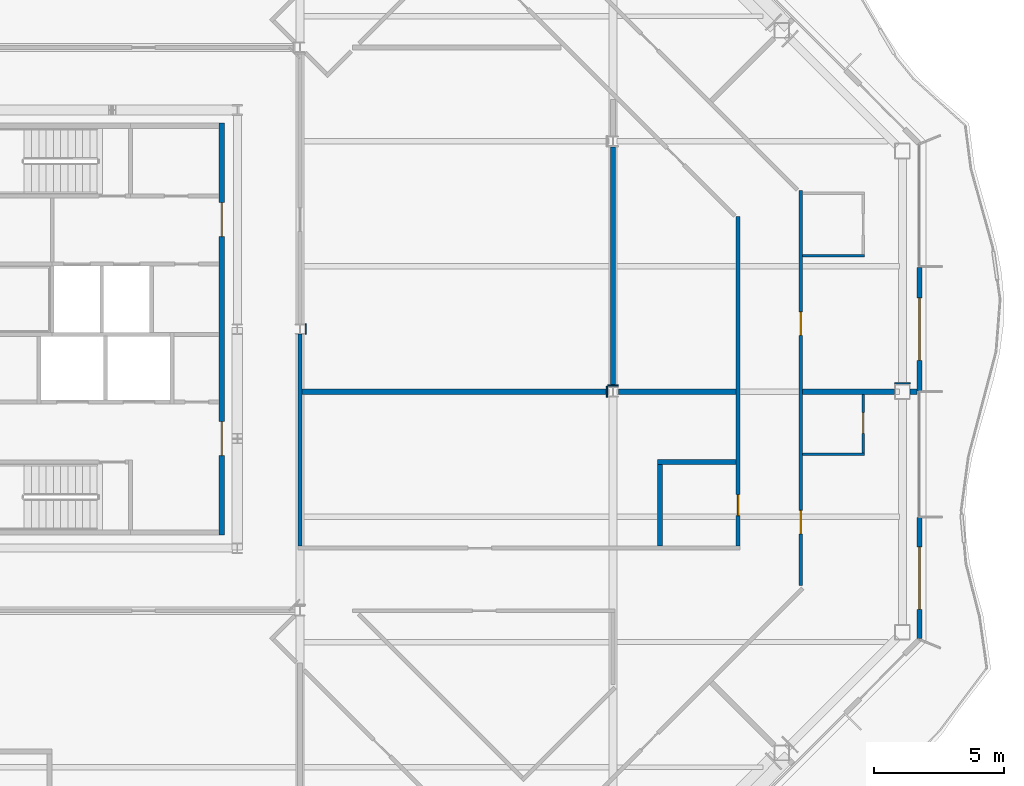
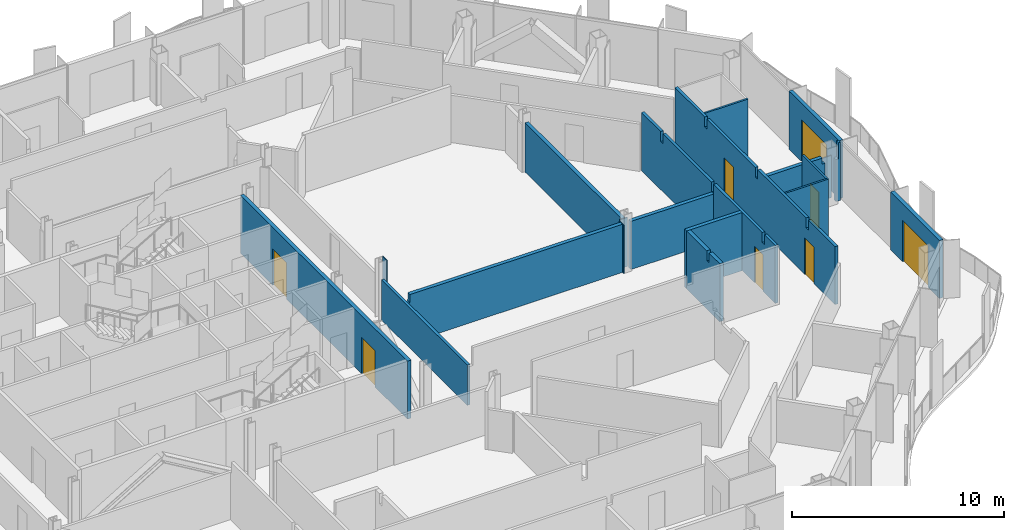
# One storey, part 10 of 19: 20 walls, 8 doors, 8 openings.
"""IFC4 building model written with IfcOpenShell, lengths in metres."""

from ifc_helpers import new_model, si_unit, direction, frame, frame_2d, origin, place, context, subcontext, project, spatial, polyline, rectangle, outline, extrude, material, layer, layer_set, type_object, element, fill, save


model = new_model("IFC4")

# Units and contexts
model_context = context("Model", 3, precision=1e-05, world=origin(), true_north=direction((0.0, 1.0)))
body_context = subcontext(model_context, "Body", "Model", "MODEL_VIEW")
ifc_project = project(units=[si_unit("LENGTHUNIT", "METRE"), si_unit("AREAUNIT", "SQUARE_METRE"), si_unit("VOLUMEUNIT", "CUBIC_METRE"), si_unit("PLANEANGLEUNIT", "RADIAN"), si_unit("MASSUNIT", "GRAM", prefix="KILO")], contexts=[model_context])

# Site, building, storey
site_placement = place(None, origin())
site = spatial("IfcSite", under=ifc_project, at=site_placement, CompositionType="ELEMENT")
building_placement = place(site_placement, origin())
building = spatial("IfcBuilding", under=site, at=building_placement, Name="Cairn Pilgrim Tower", CompositionType="ELEMENT")
storey_placement = place(building_placement, frame((0.0, 0.0, 201.0)))
storey = spatial("IfcBuildingStorey", under=building, at=storey_placement, Name="L51", CompositionType="ELEMENT", Elevation=201.0)

# Wall, opening, door
ifc_material_1 = material(Name="Bronze anodised aluminium insulated sandwich panel with mineral wool fill", Category="aluminium")
ifc_layer_1 = layer(ifc_material_1, 0.199951171875)
ifc_layer_set_1 = layer_set([ifc_layer_1], Name="BRONZE INFILL FRAME WALL 200")
wall_type_1 = type_object("IfcWallType", Name="BRONZE INFILL FRAME WALL 200", PredefinedType="NOTDEFINED", material=ifc_layer_set_1)
wall_1_placement = place(storey_placement, frame((42.949951171875, -9.45654296875, 0.0), z_axis=(0.0, 0.0, 1.0), x_axis=(0.0, 1.0, 0.0)))
wall_1 = element("IfcWall", 1, at=wall_1_placement, inside=storey, type_object=wall_type_1, Name="Bronze infill frame wall IW-E1", PredefinedType="NOTDEFINED", context=body_context, shape_type="SweptSolid", body=[
    extrude(rectangle(XDim=4.62646484375, YDim=0.199951171875, at=frame_2d((2.313232421875, 0.0))), origin(), (0.0, 0.0, 1.0), 3.35009765625),
])
opening_1_placement = place(wall_1_placement, frame((1.1083984375, 0.0, 0.0)))
opening_1 = element("IfcOpeningElement", 2, at=opening_1_placement, cuts=wall_1, Name="Opening 5104B2", PredefinedType="OPENING", context=body_context, shape_type="SweptSolid", body=[
    extrude(rectangle(XDim=2.39990234375, YDim=2.39990234375, at=frame_2d((1.199951171875, 1.199951171875))), frame((0.0, 0.10986328125, 0.0), z_axis=(0.0, -1.0, 0.0), x_axis=(1.0, 0.0, 0.0)), (0.0, 0.0, 1.0), 0.219970703125),
])
ifc_material_2 = material(Name="Bronze anodised aluminium frame with tinted low-E glass", Category="aluminium")
door_type_1 = type_object("IfcDoorType", Name="BALCONY SLIDING DOOR 2400x2400", OperationType="DOUBLE_DOOR_SLIDING", PredefinedType="DOOR", material=ifc_material_2)
door_1_placement = place(opening_1_placement, origin())
door_1 = element("IfcDoor", 3, at=door_1_placement, inside=storey, type_object=door_type_1, Name="Balcony sliding door 5104B2", OperationType="SINGLE_SWING_LEFT", OverallHeight=2.39990234375, OverallWidth=2.39990234375, PredefinedType="DOOR", context=body_context, shape_type="SweptSolid", body=[
    extrude(rectangle(XDim=2.39990234375, YDim=2.39990234375, at=frame_2d((1.199951171875, 1.199951171875))), frame((0.0, 0.02490234375, 0.0), z_axis=(0.0, -1.0, 0.0), x_axis=(1.0, 0.0, 0.0)), (0.0, 0.0, 1.0), 0.050048828125),
])
fill(opening_1, door_1)

wall_2_placement = place(storey_placement, frame((42.949951171875, 0.030029296875, 0.0), z_axis=(0.0, 0.0, 1.0), x_axis=(0.0, 1.0, 0.0)))
wall_2 = element("IfcWall", 4, at=wall_2_placement, inside=storey, type_object=wall_type_1, Name="Bronze infill frame wall IW-E3", PredefinedType="NOTDEFINED", context=body_context, shape_type="SweptSolid", body=[
    extrude(rectangle(XDim=4.739990234375, YDim=0.199951171875, at=frame_2d((2.3701171875, 0.0))), origin(), (0.0, 0.0, 1.0), 3.35009765625),
])
opening_2_placement = place(wall_2_placement, frame((1.169921875, 0.0, 0.0)))
opening_2 = element("IfcOpeningElement", 5, at=opening_2_placement, cuts=wall_2, Name="Opening 5105B", PredefinedType="OPENING", context=body_context, shape_type="SweptSolid", body=[
    extrude(rectangle(XDim=2.39990234375, YDim=2.39990234375, at=frame_2d((1.199951171875, 1.199951171875))), frame((0.0, 0.10986328125, 0.0), z_axis=(0.0, -1.0, 0.0), x_axis=(1.0, 0.0, 0.0)), (0.0, 0.0, 1.0), 0.219970703125),
])
door_2_placement = place(opening_2_placement, origin())
door_2 = element("IfcDoor", 6, at=door_2_placement, inside=storey, type_object=door_type_1, Name="Balcony sliding door 5105B", OperationType="SINGLE_SWING_LEFT", OverallHeight=2.39990234375, OverallWidth=2.39990234375, PredefinedType="DOOR", context=body_context, shape_type="SweptSolid", body=[
    extrude(rectangle(XDim=2.39990234375, YDim=2.39990234375, at=frame_2d((1.199951171875, 1.199951171875))), frame((0.0, 0.02490234375, 0.0), z_axis=(0.0, -1.0, 0.0), x_axis=(1.0, 0.0, 0.0)), (0.0, 0.0, 1.0), 0.050048828125),
])
fill(opening_2, door_2)

# Wall, openings, doors
ifc_material_3 = material(Name="Concrete C32/40", Category="concrete")
ifc_layer_2 = layer(ifc_material_3, 0.199951171875)
ifc_layer_set_2 = layer_set([ifc_layer_2], Name="CORE OUTER WALL 200 EI 120")
wall_type_2 = type_object("IfcWallType", Name="CORE OUTER WALL 200 EI 120", PredefinedType="SOLIDWALL", material=ifc_layer_set_2)
wall_3_placement = place(storey_placement, frame((16.199951171875, -5.5, 0.0), z_axis=(0.0, 0.0, 1.0), x_axis=(0.0, 1.0, 0.0)))
wall_3 = element("IfcWall", 7, at=wall_3_placement, inside=storey, type_object=wall_type_2, Name="CW:L51:V30", PredefinedType="SOLIDWALL", context=body_context, shape_type="SweptSolid", body=[
    extrude(rectangle(XDim=15.800048828125, YDim=0.199951171875, at=frame_2d((7.89990234375, 0.0))), origin(), (0.0, 0.0, 1.0), 3.35009765625),
])
opening_3_placement = place(wall_3_placement, frame((3.050048828125, 0.0, 0.0)))
opening_3 = element("IfcOpeningElement", 8, at=opening_3_placement, cuts=wall_3, Name="Opening CD-E1", PredefinedType="OPENING", context=body_context, shape_type="SweptSolid", body=[
    extrude(rectangle(XDim=1.300048828125, YDim=2.10009765625, at=frame_2d((0.64990234375, 1.050048828125))), frame((0.0, 0.10986328125, 0.0), z_axis=(0.0, -1.0, 0.0), x_axis=(1.0, 0.0, 0.0)), (0.0, 0.0, 1.0), 0.219970703125),
])
opening_4_placement = place(wall_3_placement, frame((11.449951171875, 0.0, 0.0)))
opening_4 = element("IfcOpeningElement", 9, at=opening_4_placement, cuts=wall_3, Name="Opening CD-E2", PredefinedType="OPENING", context=body_context, shape_type="SweptSolid", body=[
    extrude(rectangle(XDim=1.300048828125, YDim=2.10009765625, at=frame_2d((0.64990234375, 1.050048828125))), frame((0.0, 0.10986328125, 0.0), z_axis=(0.0, -1.0, 0.0), x_axis=(1.0, 0.0, 0.0)), (0.0, 0.0, 1.0), 0.219970703125),
])
ifc_material_4 = material(Name="Painted steel", Category="steel")
door_type_2 = type_object("IfcDoorType", Name="CORE LOBBY DOOR 1300x2100", OperationType="DOUBLE_DOOR_SINGLE_SWING", PredefinedType="DOOR", material=ifc_material_4)
door_3_placement = place(opening_3_placement, origin())
door_3 = element("IfcDoor", 10, at=door_3_placement, inside=storey, type_object=door_type_2, Name="CD-E1", OperationType="DOUBLE_DOOR_SINGLE_SWING", OverallHeight=2.10009765625, OverallWidth=1.300048828125, PredefinedType="DOOR", context=body_context, shape_type="SweptSolid", body=[
    extrude(rectangle(XDim=1.300048828125, YDim=2.10009765625, at=frame_2d((0.64990234375, 1.050048828125))), frame((0.0, 0.02490234375, 0.0), z_axis=(0.0, -1.0, 0.0), x_axis=(1.0, 0.0, 0.0)), (0.0, 0.0, 1.0), 0.050048828125),
])
fill(opening_3, door_3)
door_4_placement = place(opening_4_placement, origin())
door_4 = element("IfcDoor", 11, at=door_4_placement, inside=storey, type_object=door_type_2, Name="CD-E2", OperationType="DOUBLE_DOOR_SINGLE_SWING", OverallHeight=2.10009765625, OverallWidth=1.300048828125, PredefinedType="DOOR", context=body_context, shape_type="SweptSolid", body=[
    extrude(rectangle(XDim=1.300048828125, YDim=2.10009765625, at=frame_2d((0.64990234375, 1.050048828125))), frame((0.0, 0.02490234375, 0.0), z_axis=(0.0, -1.0, 0.0), x_axis=(1.0, 0.0, 0.0)), (0.0, 0.0, 1.0), 0.050048828125),
])
fill(opening_4, door_4)

# Wall
ifc_material_5 = material(Name="Gypsum partition")
ifc_layer_3 = layer(ifc_material_5, 0.10009765625)
ifc_layer_set_3 = layer_set([ifc_layer_3], Name="PARTITION 100 DRYWALL")
wall_type_3 = type_object("IfcWallType", Name="PARTITION 100 DRYWALL", PredefinedType="PARTITIONING", material=ifc_layer_set_3)
wall_4_placement = place(storey_placement, frame((38.47509765625, -2.39990234375, 0.0), z_axis=(0.0, 0.0, 1.0), x_axis=(1.0, 0.0, 0.0)))
element("IfcWall", 12, at=wall_4_placement, inside=storey, type_object=wall_type_3, Name="PARTITION W050", PredefinedType="PARTITIONING", context=body_context, shape_type="SweptSolid", body=[
    extrude(rectangle(XDim=2.375, YDim=0.10009765625, at=frame_2d((1.1875, 0.0))), origin(), (0.0, 0.0, 1.0), 3.35009765625),
])

# Wall, opening, door
wall_5_placement = place(storey_placement, frame((40.800048828125, -2.35009765625, 0.0), z_axis=(0.0, 0.0, 1.0), x_axis=(0.0, 1.0, 0.0)))
wall_5 = element("IfcWall", 13, at=wall_5_placement, inside=storey, type_object=wall_type_3, Name="PARTITION W051", PredefinedType="PARTITIONING", context=body_context, shape_type="SweptSolid", body=[
    extrude(outline(polyline([(0.0, 0.0), (2.25, 0.0), (2.25, 2.780029296875), (2.2451171875, 2.780029296875), (2.242919921875, 3.35009765625), (0.0, 3.35009765625), (0.0, 0.0)])), frame((0.0, 0.050048828125, 0.0), z_axis=(0.0, -1.0, 0.0), x_axis=(1.0, 0.0, 0.0)), (0.0, 0.0, 1.0), 0.10009765625),
])
opening_5_placement = place(wall_5_placement, frame((0.75, 0.0, 0.0)))
opening_5 = element("IfcOpeningElement", 14, at=opening_5_placement, cuts=wall_5, Name="Opening 5104A", PredefinedType="OPENING", context=body_context, shape_type="SweptSolid", body=[
    extrude(rectangle(XDim=0.800048828125, YDim=2.10009765625, at=frame_2d((0.39990234375, 1.050048828125))), frame((0.0, 0.06005859375, 0.0), z_axis=(0.0, -1.0, 0.0), x_axis=(1.0, 0.0, 0.0)), (0.0, 0.0, 1.0), 0.1201171875),
])
ifc_material_6 = material(Name="Timber door leaf", Category="wood")
door_type_3 = type_object("IfcDoorType", Name="WC DOOR 800x2100", OperationType="NOTDEFINED", PredefinedType="DOOR", material=ifc_material_6)
door_5_placement = place(opening_5_placement, frame((0.800048828125, 0.0, 0.0), z_axis=(0.0, 0.0, 1.0), x_axis=(-1.0, 0.0, 0.0)))
door_5 = element("IfcDoor", 15, at=door_5_placement, inside=storey, type_object=door_type_3, Name="DOOR 5104A", OperationType="SINGLE_SWING_LEFT", OverallHeight=2.10009765625, OverallWidth=0.800048828125, PredefinedType="DOOR", context=body_context, shape_type="SweptSolid", body=[
    extrude(rectangle(XDim=0.800048828125, YDim=2.10009765625, at=frame_2d((0.39990234375, 1.050048828125))), frame((0.0, 0.02490234375, 0.0), z_axis=(0.0, -1.0, 0.0), x_axis=(1.0, 0.0, 0.0)), (0.0, 0.0, 1.0), 0.050048828125),
])
fill(opening_5, door_5)

# Wall
wall_6_placement = place(storey_placement, frame((38.47509765625, 5.2119140625, 0.0), z_axis=(0.0, 0.0, 1.0), x_axis=(1.0, 0.0, 0.0)))
element("IfcWall", 16, at=wall_6_placement, inside=storey, type_object=wall_type_3, Name="PARTITION W061", PredefinedType="PARTITIONING", context=body_context, shape_type="SweptSolid", body=[
    extrude(rectangle(XDim=2.375, YDim=0.10009765625, at=frame_2d((1.1875, 0.0))), origin(), (0.0, 0.0, 1.0), 3.35009765625),
])

# Wall, openings, doors
ifc_layer_4 = layer(ifc_material_5, 0.14990234375)
ifc_layer_set_4 = layer_set([ifc_layer_4], Name="PARTITION 150 DRYWALL EI 60")
wall_type_4 = type_object("IfcWallType", Name="PARTITION 150 DRYWALL EI 60", PredefinedType="PARTITIONING", material=ifc_layer_set_4)
wall_7_placement = place(storey_placement, frame((38.39990234375, -7.430908203125, 0.0), z_axis=(0.0, 0.0, 1.0), x_axis=(0.0, 1.0, 0.0)))
wall_7 = element("IfcWall", 17, at=wall_7_placement, inside=storey, type_object=wall_type_4, Name="PARTITION W042", PredefinedType="PARTITIONING", context=body_context, shape_type="SweptSolid", body=[
    extrude(outline(polyline([(0.0, 0.0), (15.14892578125, 0.0), (15.14892578125, 3.35009765625), (12.3359375, 3.35009765625), (12.333984375, 2.780029296875), (12.1259765625, 2.780029296875), (12.123779296875, 3.35009765625), (7.535888671875, 3.35009765625), (7.533935546875, 2.780029296875), (7.325927734375, 2.780029296875), (7.323974609375, 3.35009765625), (2.73583984375, 3.35009765625), (2.73388671875, 2.780029296875), (2.52587890625, 2.780029296875), (2.52392578125, 3.35009765625), (0.0, 3.35009765625), (0.0, 0.0)])), frame((0.0, 0.074951171875, 0.0), z_axis=(0.0, -1.0, 0.0), x_axis=(1.0, 0.0, 0.0)), (0.0, 0.0, 1.0), 0.14990234375),
])
opening_6_placement = place(wall_7_placement, frame((1.974853515625, 0.0, 0.0)))
opening_6 = element("IfcOpeningElement", 18, at=opening_6_placement, cuts=wall_7, Name="Opening 5104", PredefinedType="OPENING", context=body_context, shape_type="SweptSolid", body=[
    extrude(rectangle(XDim=0.89990234375, YDim=2.10009765625, at=frame_2d((0.449951171875, 1.050048828125))), frame((0.0, 0.0849609375, 0.0), z_axis=(0.0, -1.0, 0.0), x_axis=(1.0, 0.0, 0.0)), (0.0, 0.0, 1.0), 0.169921875),
])
opening_7_placement = place(wall_7_placement, frame((9.5869140625, 0.0, 0.0)))
opening_7 = element("IfcOpeningElement", 19, at=opening_7_placement, cuts=wall_7, Name="Opening 5105", PredefinedType="OPENING", context=body_context, shape_type="SweptSolid", body=[
    extrude(rectangle(XDim=0.89990234375, YDim=2.10009765625, at=frame_2d((0.449951171875, 1.050048828125))), frame((0.0, 0.0849609375, 0.0), z_axis=(0.0, -1.0, 0.0), x_axis=(1.0, 0.0, 0.0)), (0.0, 0.0, 1.0), 0.169921875),
])
door_type_4 = type_object("IfcDoorType", Name="ROOM DOOR 900x2100 FD30S", OperationType="NOTDEFINED", PredefinedType="DOOR", material=ifc_material_6)
door_6_placement = place(opening_6_placement, frame((0.89990234375, 0.0, 0.0), z_axis=(0.0, 0.0, 1.0), x_axis=(-1.0, 0.0, 0.0)))
door_6 = element("IfcDoor", 20, at=door_6_placement, inside=storey, type_object=door_type_4, Name="DOOR 5104", OperationType="SINGLE_SWING_LEFT", OverallHeight=2.10009765625, OverallWidth=0.89990234375, PredefinedType="DOOR", context=body_context, shape_type="SweptSolid", body=[
    extrude(rectangle(XDim=0.89990234375, YDim=2.10009765625, at=frame_2d((0.449951171875, 1.050048828125))), frame((0.0, 0.02490234375, 0.0), z_axis=(0.0, -1.0, 0.0), x_axis=(1.0, 0.0, 0.0)), (0.0, 0.0, 1.0), 0.050048828125),
])
fill(opening_6, door_6)
door_7_placement = place(opening_7_placement, frame((0.89990234375, 0.0, 0.0), z_axis=(0.0, 0.0, 1.0), x_axis=(-1.0, 0.0, 0.0)))
door_7 = element("IfcDoor", 21, at=door_7_placement, inside=storey, type_object=door_type_4, Name="DOOR 5105", OperationType="SINGLE_SWING_LEFT", OverallHeight=2.10009765625, OverallWidth=0.89990234375, PredefinedType="DOOR", context=body_context, shape_type="SweptSolid", body=[
    extrude(rectangle(XDim=0.89990234375, YDim=2.10009765625, at=frame_2d((0.449951171875, 1.050048828125))), frame((0.0, 0.02490234375, 0.0), z_axis=(0.0, -1.0, 0.0), x_axis=(1.0, 0.0, 0.0)), (0.0, 0.0, 1.0), 0.050048828125),
])
fill(opening_7, door_7)

# Wall
wall_8_placement = place(storey_placement, frame((19.199951171875, -5.925048828125, 0.0), z_axis=(0.0, 0.0, 1.0), x_axis=(0.0, 1.0, 0.0)))
element("IfcWall", 22, at=wall_8_placement, inside=storey, type_object=wall_type_4, Name="PARTITION W044", PredefinedType="PARTITIONING", context=body_context, shape_type="SweptSolid", body=[
    extrude(rectangle(XDim=8.128662109375, YDim=0.14990234375, at=frame_2d((4.064453125, 0.0))), origin(), (0.0, 0.0, 1.0), 2.322021484375),
])

# Wall, opening, door
wall_9_placement = place(storey_placement, frame((36.0, -5.925048828125, 0.0), z_axis=(0.0, 0.0, 1.0), x_axis=(0.0, 1.0, 0.0)))
wall_9 = element("IfcWall", 23, at=wall_9_placement, inside=storey, type_object=wall_type_4, Name="PARTITION W046", PredefinedType="PARTITIONING", context=body_context, shape_type="SweptSolid", body=[
    extrude(outline(polyline([(0.0, 0.0), (12.649169921875, 0.0), (12.649169921875, 3.35009765625), (10.830078125, 3.35009765625), (10.827880859375, 2.780029296875), (10.6201171875, 2.780029296875), (10.617919921875, 3.35009765625), (6.030029296875, 3.35009765625), (6.028076171875, 2.780029296875), (5.820068359375, 2.780029296875), (5.818115234375, 3.35009765625), (1.22998046875, 3.35009765625), (1.22802734375, 2.780029296875), (1.02001953125, 2.780029296875), (1.01806640625, 3.35009765625), (0.0, 3.35009765625), (0.0, 0.0)])), frame((0.0, 0.074951171875, 0.0), z_axis=(0.0, -1.0, 0.0), x_axis=(1.0, 0.0, 0.0)), (0.0, 0.0, 1.0), 0.14990234375),
])
opening_8_placement = place(wall_9_placement, frame((1.175048828125, 0.0, 0.0)))
opening_8 = element("IfcOpeningElement", 24, at=opening_8_placement, cuts=wall_9, Name="Opening 5114", PredefinedType="OPENING", context=body_context, shape_type="SweptSolid", body=[
    extrude(rectangle(XDim=0.800048828125, YDim=2.10009765625, at=frame_2d((0.39990234375, 1.050048828125))), frame((0.0, 0.0849609375, 0.0), z_axis=(0.0, -1.0, 0.0), x_axis=(1.0, 0.0, 0.0)), (0.0, 0.0, 1.0), 0.169921875),
])
door_type_5 = type_object("IfcDoorType", Name="WC DOOR 800x2100 FD30S", OperationType="NOTDEFINED", PredefinedType="DOOR", material=ifc_material_6)
door_8_placement = place(opening_8_placement, origin())
door_8 = element("IfcDoor", 25, at=door_8_placement, inside=storey, type_object=door_type_5, Name="DOOR 5114", OperationType="SINGLE_SWING_RIGHT", OverallHeight=2.10009765625, OverallWidth=0.800048828125, PredefinedType="DOOR", context=body_context, shape_type="SweptSolid", body=[
    extrude(rectangle(XDim=0.800048828125, YDim=2.10009765625, at=frame_2d((0.39990234375, 1.050048828125))), frame((0.0, 0.02490234375, 0.0), z_axis=(0.0, -1.0, 0.0), x_axis=(1.0, 0.0, 0.0)), (0.0, 0.0, 1.0), 0.050048828125),
])
fill(opening_8, door_8)

# Walls
ifc_layer_5 = layer(ifc_material_5, 0.050048828125)
ifc_layer_set_5 = layer_set([ifc_layer_5], Name="PARTITION 50 DRYWALL EI 60")
wall_type_5 = type_object("IfcWallType", Name="PARTITION 50 DRYWALL EI 60", PredefinedType="PARTITIONING", material=ifc_layer_set_5)
wall_10_placement = place(storey_placement, frame((19.424560546875, 2.20361328125, 0.0), z_axis=(0.0, 0.0, 1.0), x_axis=(0.0, 1.0, 0.0)))
element("IfcWall", 26, at=wall_10_placement, inside=storey, type_object=wall_type_5, Name="COLUMN CASING WC20", PredefinedType="PARTITIONING", context=body_context, shape_type="SweptSolid", body=[
    extrude(rectangle(XDim=0.392822265625, YDim=0.050048828125, at=frame_2d((0.1962890625, 0.0))), origin(), (0.0, 0.0, 1.0), 3.35009765625),
])
wall_11_placement = place(storey_placement, frame((30.99560546875, 0.237548828125, 0.0), z_axis=(0.0, 0.0, 1.0), x_axis=(1.0, 0.0, 0.0)))
element("IfcWall", 27, at=wall_11_placement, inside=storey, type_object=wall_type_5, Name="COLUMN CASING WC23", PredefinedType="PARTITIONING", context=body_context, shape_type="SweptSolid", body=[
    extrude(rectangle(XDim=0.408935546875, YDim=0.050048828125, at=frame_2d((0.20458984375, 0.0))), origin(), (0.0, 0.0, 1.0), 2.830078125),
])
wall_12_placement = place(storey_placement, frame((42.0, 0.324951171875, 0.0), z_axis=(0.0, 0.0, 1.0), x_axis=(1.0, 0.0, 0.0)))
element("IfcWall", 28, at=wall_12_placement, inside=storey, type_object=wall_type_5, Name="COLUMN CASING WC24", PredefinedType="PARTITIONING", context=body_context, shape_type="SweptSolid", body=[
    extrude(rectangle(XDim=0.60009765625, YDim=0.050048828125, at=frame_2d((0.300048828125, 0.0))), origin(), (0.0, 0.0, 1.0), 2.429931640625),
])
wall_13_placement = place(storey_placement, frame((30.970458984375, -0.21240234375, 0.0), z_axis=(0.0, 0.0, 1.0), x_axis=(0.0, 1.0, 0.0)))
element("IfcWall", 29, at=wall_13_placement, inside=storey, type_object=wall_type_5, Name="COLUMN CASING WC25", PredefinedType="PARTITIONING", context=body_context, shape_type="SweptSolid", body=[
    extrude(rectangle(XDim=0.4248046875, YDim=0.050048828125, at=frame_2d((0.21240234375, 0.0))), origin(), (0.0, 0.0, 1.0), 2.780029296875),
])
ifc_layer_6 = layer(ifc_material_5, 0.199951171875)
ifc_layer_set_6 = layer_set([ifc_layer_6], Name="SHAFT WALL 200 GYPSUM EI 60")
wall_type_6 = type_object("IfcWallType", Name="SHAFT WALL 200 GYPSUM EI 60", PredefinedType="PARTITIONING", material=ifc_layer_set_6)
wall_14_placement = place(storey_placement, frame((33.0, -5.925048828125, 0.0), z_axis=(0.0, 0.0, 1.0), x_axis=(0.0, 1.0, 0.0)))
element("IfcWall", 30, at=wall_14_placement, inside=storey, type_object=wall_type_6, Name="PARTITION W045", PredefinedType="PARTITIONING", context=body_context, shape_type="SweptSolid", body=[
    extrude(outline(polyline([(0.0, 0.0), (3.125, 0.0), (3.125, 3.35009765625), (1.22998046875, 3.35009765625), (1.22802734375, 2.780029296875), (1.02001953125, 2.780029296875), (1.01806640625, 3.35009765625), (0.0, 3.35009765625), (0.0, 0.0)])), frame((0.0, 0.10009765625, 0.0), z_axis=(0.0, -1.0, 0.0), x_axis=(1.0, 0.0, 0.0)), (0.0, 0.0, 1.0), 0.199951171875),
])
wall_15_placement = place(storey_placement, frame((32.89990234375, -2.699951171875, 0.0), z_axis=(0.0, 0.0, 1.0), x_axis=(1.0, 0.0, 0.0)))
element("IfcWall", 31, at=wall_15_placement, inside=storey, type_object=wall_type_6, Name="PARTITION W047", PredefinedType="PARTITIONING", context=body_context, shape_type="SweptSolid", body=[
    extrude(rectangle(XDim=3.025146484375, YDim=0.199951171875, at=frame_2d((1.5126953125, 0.0))), origin(), (0.0, 0.0, 1.0), 3.35009765625),
])
wall_16_placement = place(storey_placement, frame((19.27490234375, 0.0, 0.0), z_axis=(0.0, 0.0, 1.0), x_axis=(1.0, 0.0, 0.0)))
element("IfcWall", 32, at=wall_16_placement, inside=storey, type_object=wall_type_6, Name="PARTITION W054", PredefinedType="PARTITIONING", context=body_context, shape_type="SweptSolid", body=[
    extrude(outline(polyline([(0.0, 0.0), (11.720703125, 0.0), (11.720458984375, 2.780029296875), (0.075927734375, 2.780029296875), (0.073974609375, 2.322021484375), (0.0, 2.322021484375), (0.0, 0.0)])), frame((0.0, 0.10009765625, 0.0), z_axis=(0.0, -1.0, 0.0), x_axis=(1.0, 0.0, 0.0)), (0.0, 0.0, 1.0), 0.199951171875),
])
wall_17_placement = place(storey_placement, frame((31.404541015625, 0.0, 0.0), z_axis=(0.0, 0.0, 1.0), x_axis=(1.0, 0.0, 0.0)))
element("IfcWall", 33, at=wall_17_placement, inside=storey, type_object=wall_type_6, Name="PARTITION W055", PredefinedType="PARTITIONING", context=body_context, shape_type="SweptSolid", body=[
    extrude(rectangle(XDim=4.5205078125, YDim=0.199951171875, at=frame_2d((2.26025390625, 0.0))), origin(), (0.0, 0.0, 1.0), 2.780029296875),
])
wall_18_placement = place(storey_placement, frame((38.47509765625, 0.0, 0.0), z_axis=(0.0, 0.0, 1.0), x_axis=(1.0, 0.0, 0.0)))
element("IfcWall", 34, at=wall_18_placement, inside=storey, type_object=wall_type_6, Name="PARTITION W056", PredefinedType="PARTITIONING", context=body_context, shape_type="SweptSolid", body=[
    extrude(outline(polyline([(0.0, 0.0), (3.52490234375, 0.0), (3.52490234375, 2.429931640625), (3.375, 2.429931640625), (3.373046875, 2.780029296875), (0.0, 2.780029296875), (0.0, 0.0)])), frame((0.0, 0.10009765625, 0.0), z_axis=(0.0, -1.0, 0.0), x_axis=(1.0, 0.0, 0.0)), (0.0, 0.0, 1.0), 0.199951171875),
])
wall_19_placement = place(storey_placement, frame((42.60009765625, 0.0, 0.0), z_axis=(0.0, 0.0, 1.0), x_axis=(1.0, 0.0, 0.0)))
element("IfcWall", 35, at=wall_19_placement, inside=storey, type_object=wall_type_6, Name="PARTITION W057", PredefinedType="PARTITIONING", context=body_context, shape_type="SweptSolid", body=[
    extrude(outline(polyline([(0.0, 0.0), (0.25, 0.0), (0.25, 3.35009765625), (0.14990234375, 3.35009765625), (0.14794921875, 2.429931640625), (0.0, 2.429931640625), (0.0, 0.0)])), frame((0.0, 0.10009765625, 0.0), z_axis=(0.0, -1.0, 0.0), x_axis=(1.0, 0.0, 0.0)), (0.0, 0.0, 1.0), 0.199951171875),
])
wall_20_placement = place(storey_placement, frame((31.199951171875, 0.21240234375, 0.0), z_axis=(0.0, 0.0, 1.0), x_axis=(0.0, 1.0, 0.0)))
element("IfcWall", 36, at=wall_20_placement, inside=storey, type_object=wall_type_6, Name="PARTITION W058", PredefinedType="PARTITIONING", context=body_context, shape_type="SweptSolid", body=[
    extrude(rectangle(XDim=9.175048828125, YDim=0.199951171875, at=frame_2d((4.58740234375, 0.0))), origin(), (0.0, 0.0, 1.0), 2.830078125),
])

save(model, "model.ifc")
